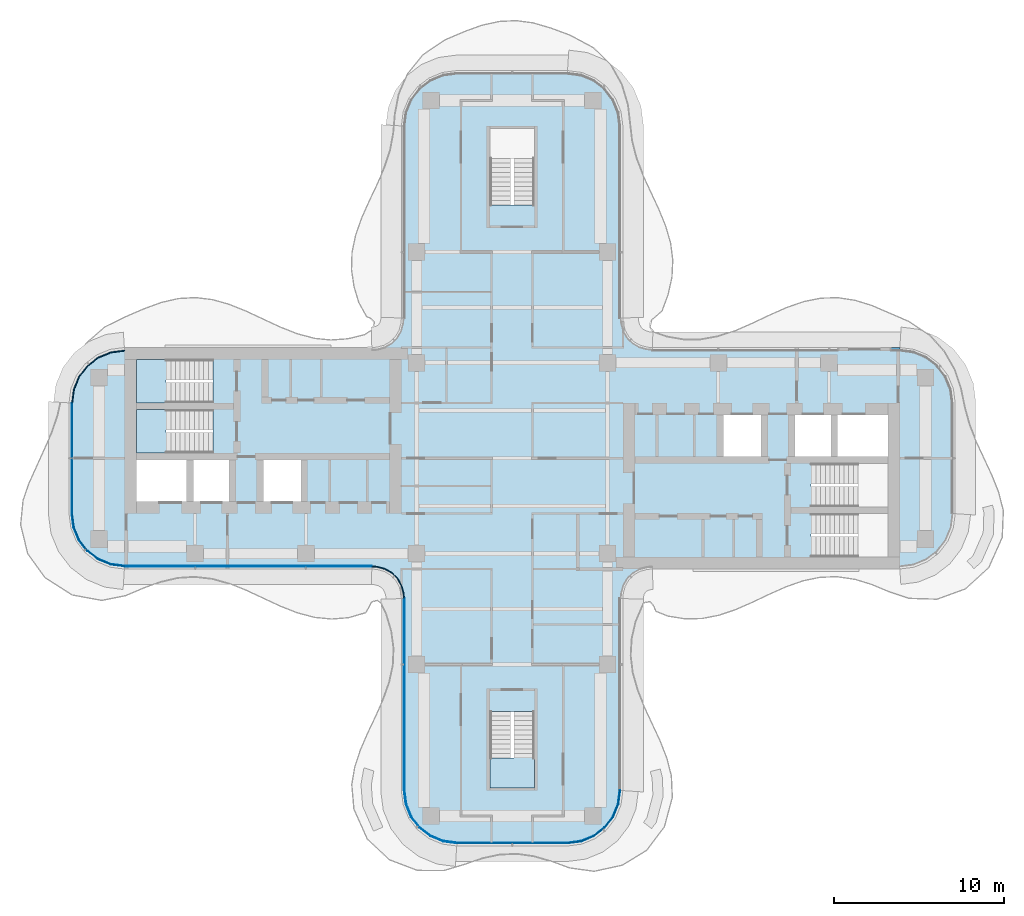
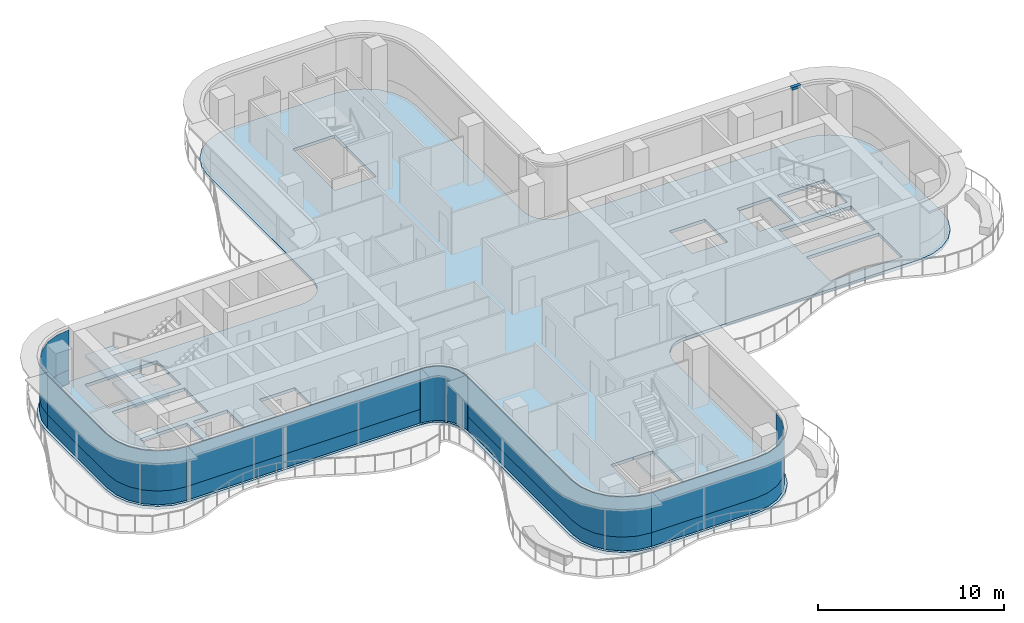
# One storey, part 8 of 17: 11 plates, 4 slabs, 1 member, 10 elements without a shape of their own.
"""IFC4 building model written with IfcOpenShell, lengths in metres."""

import ifcopenshell
import ifcopenshell.guid

model = None  # the IFC model being written
_history = None  # IfcOwnerHistory: only IFC2X3 demands one
_inside = {}  # id of a spatial element -> (the spatial element, [elements in it])
_under = {}  # id of a project, library or spatial element -> (it, [spatial elements below it])
_declared = {}  # id of a project -> (the project, [libraries it declares])
_typed = {}  # id of a type object -> (the type object, [elements of that type])
_made_of = {}  # id of a material, layer set ... -> (it, [elements and type objects made of it])


def new_model(schema):
    """Start an empty IFC model of exactly this schema.

    Asked for "IFC4X3", IfcOpenShell would pick the latest addendum, in which some entities
    have other attributes; the version numbers below select the first issue.
    IFC2X3 requires an IfcOwnerHistory on every rooted entity: one is made here for all.
    """
    global model, _history
    if schema == "IFC4X3":
        model = ifcopenshell.file(schema_version=(4, 3, 0, 0))
    else:
        model = ifcopenshell.file(schema=schema)
    _inside.clear()
    _under.clear()
    _declared.clear()
    _typed.clear()
    _made_of.clear()
    _history = None
    if model.schema == "IFC2X3":
        org = make("IfcOrganization", Name="unknown")
        user = make(
            "IfcPersonAndOrganization",
            ThePerson=make("IfcPerson", FamilyName="unknown"),
            TheOrganization=org,
        )
        app = make(
            "IfcApplication",
            ApplicationDeveloper=org,
            Version="unknown",
            ApplicationFullName="unknown",
            ApplicationIdentifier="unknown",
        )
        _history = make(
            "IfcOwnerHistory",
            OwningUser=user,
            OwningApplication=app,
            ChangeAction="ADDED",
            CreationDate=0,
        )
    return model


def make(cls, **values):
    """One entity of the class cls with the attributes given. An attribute that is None is left unset."""
    return model.create_entity(
        cls, **{name: value for name, value in values.items() if value is not None}
    )


def rooted(cls, **values):
    """An entity with a GlobalId (a new one), such as an element, a storey or a relation."""
    return make(cls, GlobalId=ifcopenshell.guid.new(), OwnerHistory=_history, **values)


def si_unit(unit_type, name, prefix=None):
    """IfcSIUnit, for example si_unit("LENGTHUNIT", "METRE", prefix="MILLI")."""
    return make("IfcSIUnit", UnitType=unit_type, Prefix=prefix, Name=name)


def assignment(units):
    """IfcUnitAssignment: the units of a project."""
    return None if units is None else make("IfcUnitAssignment", Units=units)


def point(xyz):
    """IfcCartesianPoint."""
    return None if xyz is None else make("IfcCartesianPoint", Coordinates=xyz)


def direction(xyz):
    """IfcDirection."""
    return None if xyz is None else make("IfcDirection", DirectionRatios=xyz)


def frame(location, z_axis=None, x_axis=None):
    """IfcAxis2Placement3D, a coordinate frame: its origin and axes. An axis left out is left unset."""
    return make(
        "IfcAxis2Placement3D",
        Location=point(location),
        Axis=direction(z_axis),
        RefDirection=direction(x_axis),
    )


def origin():
    """The frame at (0, 0, 0) with its axes left unset."""
    return frame((0.0, 0.0, 0.0))


def place(relative_to, where):
    """IfcLocalPlacement: puts the frame where relative to a parent placement (None: the world)."""
    return make(
        "IfcLocalPlacement", PlacementRelTo=relative_to, RelativePlacement=where
    )


def context(
    kind, dimensions, precision=None, world=None, true_north=None, identifier=None
):
    """IfcGeometricRepresentationContext, for example the 3D "Model" context."""
    return make(
        "IfcGeometricRepresentationContext",
        ContextIdentifier=identifier,
        ContextType=kind,
        CoordinateSpaceDimension=dimensions,
        Precision=precision,
        WorldCoordinateSystem=world,
        TrueNorth=true_north,
    )


def subcontext(parent, identifier, kind, view, scale=None):
    """IfcGeometricRepresentationSubContext, for example "Body" below "Model"."""
    return make(
        "IfcGeometricRepresentationSubContext",
        ContextIdentifier=identifier,
        ContextType=kind,
        ParentContext=parent,
        TargetScale=scale,
        TargetView=view,
    )


def project(units=None, contexts=None):
    """IfcProject with its units and contexts."""
    return rooted(
        "IfcProject",
        Name="project",
        RepresentationContexts=contexts,
        UnitsInContext=assignment(units),
    )


def spatial(cls, under=None, at=None, **own):
    """A site, building, storey or space (cls), placed at a placement, below another one or the project."""
    s = rooted(cls, ObjectPlacement=at, **own)
    if under is not None:
        _under.setdefault(under.id(), (under, []))[1].append(s)
    return s


def polyline(points):
    """IfcPolyline through the points."""
    return make("IfcPolyline", Points=[point(p) for p in points])


def outline(outer, holes=None, kind="AREA"):
    """IfcArbitraryClosedProfileDef: a profile drawn as a closed curve; with holes, ...WithVoids."""
    if holes is None:
        return make("IfcArbitraryClosedProfileDef", ProfileType=kind, OuterCurve=outer)
    return make(
        "IfcArbitraryProfileDefWithVoids",
        ProfileType=kind,
        OuterCurve=outer,
        InnerCurves=holes,
    )


def extrude(swept, where, along, depth):
    """IfcExtrudedAreaSolid: the profile swept, set in the frame where, extruded along a direction by depth."""
    return make(
        "IfcExtrudedAreaSolid",
        SweptArea=swept,
        Position=where,
        ExtrudedDirection=direction(along),
        Depth=depth,
    )


def shape(context_of_items, identifier, shape_type, items):
    """IfcShapeRepresentation: the items that make up one representation, for example the "Body"."""
    return make(
        "IfcShapeRepresentation",
        ContextOfItems=context_of_items,
        RepresentationIdentifier=identifier,
        RepresentationType=shape_type,
        Items=items,
    )


def source(mapping_origin, context_of_items, identifier, shape_type, items):
    """IfcRepresentationMap: a shape defined once, which mapped items show again and again."""
    return make(
        "IfcRepresentationMap",
        MappingOrigin=mapping_origin,
        MappedRepresentation=shape(context_of_items, identifier, shape_type, items),
    )


def transform(
    local_origin,
    x_axis=None,
    y_axis=None,
    z_axis=None,
    scale=None,
    scale2=None,
    scale3=None,
    uniform=True,
):
    """IfcCartesianTransformationOperator3D, or its non-uniform kind. x_axis, y_axis, z_axis: its Axis1, 2, 3."""
    if uniform:
        return make(
            "IfcCartesianTransformationOperator3D",
            Axis1=direction(x_axis),
            Axis2=direction(y_axis),
            LocalOrigin=point(local_origin),
            Scale=scale,
            Axis3=direction(z_axis),
        )
    return make(
        "IfcCartesianTransformationOperator3DnonUniform",
        Axis1=direction(x_axis),
        Axis2=direction(y_axis),
        LocalOrigin=point(local_origin),
        Scale=scale,
        Axis3=direction(z_axis),
        Scale2=scale2,
        Scale3=scale3,
    )


def mapped(mapping_source, mapping_target):
    """IfcMappedItem: shows the shape of a source again, moved by a transform."""
    return make(
        "IfcMappedItem", MappingSource=mapping_source, MappingTarget=mapping_target
    )


def material(Name=None, Category=None):
    """IfcMaterial."""
    return make("IfcMaterial", Name=Name, Category=Category)


def layer(
    of_material, thickness, ventilated=None, Name=None, Category=None, Priority=None
):
    """IfcMaterialLayer: one layer of a wall or slab, of a material (None: an air gap)."""
    return make(
        "IfcMaterialLayer",
        Material=of_material,
        LayerThickness=thickness,
        IsVentilated=ventilated,
        Name=Name,
        Category=Category,
        Priority=Priority,
    )


def layer_set(layers, Name=None):
    """IfcMaterialLayerSet."""
    return make("IfcMaterialLayerSet", MaterialLayers=layers, LayerSetName=Name)


def made_of(thing, what):
    """Note that an element or type object is made of a material, layer set ...; save() writes the relation."""
    if what is not None:
        _made_of.setdefault(what.id(), (what, []))[1].append(thing)
    return thing


def type_object(cls, material=None, **own):
    """A type object (cls), such as IfcWallType, which elements share."""
    return made_of(rooted(cls, **own), material)


def element(
    cls,
    number,
    at=None,
    inside=None,
    cuts=None,
    type_object=None,
    material=None,
    context=None,
    identifier="Body",
    shape_type=None,
    held_by="IfcProductDefinitionShape",
    body=None,
    shapes=None,
    **own,
):
    """One element of the class cls, such as IfcWall. Its Tag is "e" and its number.

    at: its placement. inside: the storey or other place that contains it. cuts: it is an
    opening in that element (IfcRelVoidsElement). A single representation is given by context,
    identifier, shape_type and body (its items); several are given by shapes. held_by: the class
    of the entity that holds the representations. save() writes the other relations.
    """
    e = rooted(cls, Tag="e%d" % number, ObjectPlacement=at, **own)
    if body is not None:
        shapes = [shape(context, identifier, shape_type, body)]
    if shapes is not None:
        e.Representation = make(held_by, Representations=shapes)
    if inside is not None:
        _inside.setdefault(inside.id(), (inside, []))[1].append(e)
    if cuts is not None:
        rooted(
            "IfcRelVoidsElement", RelatingBuildingElement=cuts, RelatedOpeningElement=e
        )
    if type_object is not None:
        _typed.setdefault(type_object.id(), (type_object, []))[1].append(e)
    return made_of(e, material)


def aggregate(whole, parts):
    """IfcRelAggregates: a whole, such as a stair, and the parts it consists of."""
    return rooted("IfcRelAggregates", RelatingObject=whole, RelatedObjects=parts)


def save(model, path):
    """Write the relations noted so far, then the file.

    IfcRelAggregates (storeys below a building ...), IfcRelContainedInSpatialStructure (elements
    in a storey), IfcRelDefinesByType, IfcRelAssociatesMaterial and IfcRelDeclares: one each for
    every whole, place, type object, material and project.
    """
    for whole, parts in _under.values():
        aggregate(whole, parts)
    for where, things in _inside.values():
        rooted(
            "IfcRelContainedInSpatialStructure",
            RelatedElements=things,
            RelatingStructure=where,
        )
    for kind, things in _typed.values():
        rooted("IfcRelDefinesByType", RelatedObjects=things, RelatingType=kind)
    for what, things in _made_of.values():
        rooted("IfcRelAssociatesMaterial", RelatedObjects=things, RelatingMaterial=what)
    for by, libraries in _declared.values():
        rooted("IfcRelDeclares", RelatingContext=by, RelatedDefinitions=libraries)
    model.write(path)


model = new_model("IFC4")

# Units and contexts
model_context = context("Model", 3, precision=1e-05, world=origin(), true_north=direction((0.0, 1.0)))
body_context = subcontext(model_context, "Body", "Model", "MODEL_VIEW")
ifc_project = project(units=[si_unit("LENGTHUNIT", "METRE"), si_unit("AREAUNIT", "SQUARE_METRE"), si_unit("VOLUMEUNIT", "CUBIC_METRE"), si_unit("PLANEANGLEUNIT", "RADIAN"), si_unit("MASSUNIT", "GRAM", prefix="KILO")], contexts=[model_context])

# Site, building, storey
site_placement = place(None, origin())
site = spatial("IfcSite", under=ifc_project, at=site_placement, CompositionType="ELEMENT")
building_placement = place(site_placement, origin())
building = spatial("IfcBuilding", under=site, at=building_placement, Name="Trellis Farm Tower", CompositionType="ELEMENT")
storey_placement = place(building_placement, frame((0.0, 0.0, 295.0)))
storey = spatial("IfcBuildingStorey", under=building, at=storey_placement, Name="L66", CompositionType="ELEMENT", Elevation=295.0)

# Curtain wall, member
ifc_material_1 = material(Name="Aluminium and glass curtain wall", Category="aluminium")
ifc_layer_1 = layer(ifc_material_1, 0.18994140625)
ifc_layer_set_1 = layer_set([ifc_layer_1], Name="RIBBON CURTAIN WALL CW1")
curtain_wall_type_1 = type_object("IfcCurtainWallType", Name="RIBBON CURTAIN WALL CW1", PredefinedType="NOTDEFINED", material=ifc_layer_set_1)
placement_1 = place(storey_placement, origin())
curtain_wall_1 = element("IfcCurtainWall", 1, at=placement_1, inside=storey, type_object=curtain_wall_type_1, Name="CW1 007", PredefinedType="NOTDEFINED")
ifc_material_2 = material(Name="Aluminium extrusion 6063-T6", Category="aluminium")
ifc_layer_2 = layer(ifc_material_2, 0.199951171875)
ifc_layer_set_2 = layer_set([ifc_layer_2], Name="Aluminium extrusion 6063-T6")
member_type = type_object("IfcMemberType", Name="CW1 TRANSOM 200x180", PredefinedType="USERDEFINED", material=ifc_layer_set_2)
member_placement = place(storey_placement, frame((0.0, 0.0, 3.52001953125)))
member = element("IfcMember", 2, at=member_placement, type_object=member_type, Name="TR1 007", ObjectType="TRANSOM", PredefinedType="USERDEFINED", context=body_context, shape_type="SweptSolid", body=[
    extrude(outline(polyline([(22.75, 6.5), (22.175048828125, 6.5), (22.175048828125, 6.300048828125), (22.73681640625, 6.300048828125), (22.75, 6.5)])), origin(), (0.0, 0.0, 1.0), 0.179931640625),
])
aggregate(curtain_wall_1, [member])

# Slab
ifc_material_3 = material(Name="Concrete C40/50", Category="concrete")
ifc_layer_3 = layer(ifc_material_3, 0.199951171875)
ifc_layer_set_3 = layer_set([ifc_layer_3], Name="Composite deck floor slab 200")
slab_type_1 = type_object("IfcSlabType", Name="Composite deck floor slab 200", PredefinedType="FLOOR", material=ifc_layer_set_3)
shared_shape_1 = source(origin(), body_context, "Body", "SweptSolid", [
    extrude(outline(polyline([(-23.59130859375, -6.389404296875), (-24.375, -6.064697265625), (-25.048095703125, -5.548095703125), (-25.564697265625, -4.875), (-25.889404296875, -4.09130859375), (-26.0, -3.25), (-26.0, 3.25), (-25.889404296875, 4.09130859375), (-25.564697265625, 4.875), (-25.048095703125, 5.548095703125), (-24.375, 6.064697265625), (-23.59130859375, 6.389404296875), (-22.75, 6.5), (-8.2314453125, 6.5), (-8.01953125, 6.513916015625), (-7.91552734375, 6.527587890625), (-7.508544921875, 6.63671875), (-7.144287109375, 6.846923828125), (-6.846923828125, 7.144287109375), (-6.63671875, 7.508544921875), (-6.527587890625, 7.91552734375), (-6.513916015625, 8.01953125), (-6.5, 8.2314453125), (-6.5, 19.5), (-6.389404296875, 20.34130859375), (-6.064697265625, 21.125), (-5.548095703125, 21.798095703125), (-4.875, 22.314697265625), (-4.09130859375, 22.639404296875), (-3.25, 22.75), (3.25, 22.75), (4.09130859375, 22.639404296875), (4.875, 22.314697265625), (5.548095703125, 21.798095703125), (6.064697265625, 21.125), (6.389404296875, 20.34130859375), (6.5, 19.5), (6.5, 8.2314453125), (6.513916015625, 8.01953125), (6.527587890625, 7.91552734375), (6.63671875, 7.508544921875), (6.846923828125, 7.144287109375), (7.144287109375, 6.846923828125), (7.508544921875, 6.63671875), (7.91552734375, 6.527587890625), (8.01953125, 6.513916015625), (8.2314453125, 6.5), (22.75, 6.5), (23.59130859375, 6.389404296875), (24.375, 6.064697265625), (25.048095703125, 5.548095703125), (25.564697265625, 4.875), (25.889404296875, 4.09130859375), (26.0, 3.25), (26.0, -3.25), (25.889404296875, -4.09130859375), (25.564697265625, -4.875), (25.048095703125, -5.548095703125), (24.375, -6.064697265625), (23.59130859375, -6.389404296875), (22.75, -6.5), (8.2314453125, -6.5), (8.01953125, -6.513916015625), (7.91552734375, -6.527587890625), (7.508544921875, -6.63671875), (7.144287109375, -6.846923828125), (6.846923828125, -7.144287109375), (6.63671875, -7.508544921875), (6.527587890625, -7.91552734375), (6.513916015625, -8.01953125), (6.5, -8.2314453125), (6.5, -19.5), (6.389404296875, -20.34130859375), (6.064697265625, -21.125), (5.548095703125, -21.798095703125), (4.875, -22.314697265625), (4.09130859375, -22.639404296875), (3.25, -22.75), (-3.25, -22.75), (-4.09130859375, -22.639404296875), (-4.875, -22.314697265625), (-5.548095703125, -21.798095703125), (-6.064697265625, -21.125), (-6.389404296875, -20.34130859375), (-6.5, -19.5), (-6.5, -8.2314453125), (-6.513916015625, -8.01953125), (-6.527587890625, -7.91552734375), (-6.63671875, -7.508544921875), (-6.846923828125, -7.144287109375), (-7.144287109375, -6.846923828125), (-7.508544921875, -6.63671875), (-7.91552734375, -6.527587890625), (-8.01953125, -6.513916015625), (-8.2314453125, -6.5), (-22.75, -6.5), (-23.59130859375, -6.389404296875)]), holes=[polyline([(-22.050048828125, -2.550048828125), (-19.10009765625, -2.550048828125), (-19.10009765625, -0.10009765625), (-22.050048828125, -0.10009765625), (-22.050048828125, -2.550048828125)]), polyline([(-18.699951171875, -0.10009765625), (-18.699951171875, -2.550048828125), (-16.60009765625, -2.550048828125), (-16.60009765625, -0.10009765625), (-18.699951171875, -0.10009765625)]), polyline([(-14.60009765625, -0.10009765625), (-14.60009765625, -2.550048828125), (-12.39990234375, -2.550048828125), (-12.39990234375, -0.10009765625), (-14.60009765625, -0.10009765625)]), polyline([(-17.56201171875, 2.85009765625), (-22.050048828125, 2.85009765625), (-22.050048828125, 0.300048828125), (-17.56005859375, 0.300048828125), (-17.56005859375, 1.5), (-17.550048828125, 1.5), (-17.550048828125, 1.64990234375), (-17.56201171875, 1.64990234375), (-17.56201171875, 2.85009765625)]), polyline([(-17.56201171875, 4.60009765625), (-17.56201171875, 5.800048828125), (-22.050048828125, 5.800048828125), (-22.050048828125, 3.25), (-17.56005859375, 3.25), (-17.56005859375, 4.449951171875), (-17.550048828125, 4.449951171875), (-17.550048828125, 4.60009765625), (-17.56201171875, 4.60009765625)]), polyline([(0.10009765625, 14.862060546875), (1.300048828125, 14.862060546875), (1.300048828125, 19.35009765625), (-1.300048828125, 19.35009765625), (-1.300048828125, 14.860107421875), (-0.10009765625, 14.860107421875), (-0.10009765625, 14.85009765625), (0.10009765625, 14.85009765625), (0.10009765625, 14.862060546875)]), polyline([(-1.300048828125, -14.862060546875), (-1.300048828125, -19.35009765625), (1.300048828125, -19.35009765625), (1.300048828125, -14.860107421875), (0.10009765625, -14.860107421875), (0.10009765625, -14.85009765625), (-0.10009765625, -14.85009765625), (-0.10009765625, -14.862060546875), (-1.300048828125, -14.862060546875)]), polyline([(17.56201171875, -4.60009765625), (17.56201171875, -5.800048828125), (22.050048828125, -5.800048828125), (22.050048828125, -3.25), (17.56005859375, -3.25), (17.56005859375, -4.449951171875), (17.550048828125, -4.449951171875), (17.550048828125, -4.60009765625), (17.56201171875, -4.60009765625)]), polyline([(17.56201171875, -1.64990234375), (17.56201171875, -2.85009765625), (22.050048828125, -2.85009765625), (22.050048828125, -0.300048828125), (17.56005859375, -0.300048828125), (17.56005859375, -1.5), (17.550048828125, -1.5), (17.550048828125, -1.64990234375), (17.56201171875, -1.64990234375)]), polyline([(14.60009765625, 2.550048828125), (12.39990234375, 2.550048828125), (12.39990234375, 0.10009765625), (14.60009765625, 0.10009765625), (14.60009765625, 2.550048828125)]), polyline([(18.699951171875, 0.10009765625), (18.699951171875, 2.550048828125), (16.60009765625, 2.550048828125), (16.60009765625, 0.10009765625), (18.699951171875, 0.10009765625)]), polyline([(22.050048828125, 0.10009765625), (22.050048828125, 2.550048828125), (19.10009765625, 2.550048828125), (19.10009765625, 0.10009765625), (22.050048828125, 0.10009765625)])]), origin(), (0.0, 0.0, 1.0), 0.199951171875),
])
slab_1_placement = place(storey_placement, frame((0.0, 0.0, -0.199951171875)))
element("IfcSlab", 3, at=slab_1_placement, inside=storey, type_object=slab_type_1, Name="Floor slab", PredefinedType="FLOOR", context=body_context, shape_type="MappedRepresentation", body=[
    mapped(shared_shape_1, transform((0.0, 0.0, 0.0))),
])

# Stair, slab
ifc_material_4 = material(Name="Concrete C50/60", Category="concrete")
stair_type = type_object("IfcStairType", Name="CORE EXIT STAIR 22 RISERS 177 MM", PredefinedType="HALF_TURN_STAIR", material=ifc_material_4)
stair_1 = element("IfcStair", 4, at=placement_1, inside=storey, type_object=stair_type, Name="Exit stair S", PredefinedType="HALF_TURN_STAIR")
ifc_layer_4 = layer(ifc_material_4, 0.18994140625)
ifc_layer_set_4 = layer_set([ifc_layer_4], Name="CORE STAIR LANDING 190 CONCRETE C50/60")
slab_type_2 = type_object("IfcSlabType", Name="CORE STAIR LANDING 190 CONCRETE C50/60", PredefinedType="LANDING", material=ifc_layer_set_4)
shared_shape_2 = source(origin(), body_context, "Body", "SweptSolid", [
    extrude(outline(polyline([(1.300048828125, -19.35009765625), (-1.300048828125, -19.35009765625), (-1.300048828125, -17.60009765625), (-1.300048828125, -17.590087890625), (-0.10009765625, -17.590087890625), (-0.10009765625, -17.60009765625), (0.10009765625, -17.60009765625), (0.10009765625, -17.27197265625), (1.300048828125, -17.27197265625), (1.300048828125, -17.60009765625), (1.300048828125, -19.35009765625)])), origin(), (0.0, 0.0, 1.0), 0.18994140625),
])
placement_2 = place(storey_placement, frame((0.0, 0.0, 1.760009765625)))
slab_2 = element("IfcSlab", 5, at=placement_2, type_object=slab_type_2, Name="STS landing 1", PredefinedType="LANDING", context=body_context, shape_type="MappedRepresentation", body=[
    mapped(shared_shape_2, transform((0.0, 0.0, 0.0))),
])
aggregate(stair_1, [slab_2])

stair_2 = element("IfcStair", 6, at=placement_1, inside=storey, type_object=stair_type, Name="Exit stair W1", PredefinedType="HALF_TURN_STAIR")
shared_shape_3 = source(origin(), body_context, "Body", "SweptSolid", [
    extrude(outline(polyline([(-19.971923828125, 4.449951171875), (-19.971923828125, 3.25), (-20.300048828125, 3.25), (-22.050048828125, 3.25), (-22.050048828125, 5.800048828125), (-20.300048828125, 5.800048828125), (-20.2900390625, 5.800048828125), (-20.2900390625, 4.60009765625), (-20.300048828125, 4.60009765625), (-20.300048828125, 4.449951171875), (-19.971923828125, 4.449951171875)])), origin(), (0.0, 0.0, 1.0), 0.18994140625),
])
slab_3 = element("IfcSlab", 7, at=placement_2, type_object=slab_type_2, Name="STW1 landing 1", PredefinedType="LANDING", context=body_context, shape_type="MappedRepresentation", body=[
    mapped(shared_shape_3, transform((0.0, 0.0, 0.0))),
])
aggregate(stair_2, [slab_3])

stair_3 = element("IfcStair", 8, at=placement_1, inside=storey, type_object=stair_type, Name="Exit stair W2", PredefinedType="HALF_TURN_STAIR")
shared_shape_4 = source(origin(), body_context, "Body", "SweptSolid", [
    extrude(outline(polyline([(-19.971923828125, 1.5), (-19.971923828125, 0.300048828125), (-20.300048828125, 0.300048828125), (-22.050048828125, 0.300048828125), (-22.050048828125, 2.85009765625), (-20.300048828125, 2.85009765625), (-20.2900390625, 2.85009765625), (-20.2900390625, 1.64990234375), (-20.300048828125, 1.64990234375), (-20.300048828125, 1.5), (-19.971923828125, 1.5)])), origin(), (0.0, 0.0, 1.0), 0.18994140625),
])
slab_4 = element("IfcSlab", 9, at=placement_2, type_object=slab_type_2, Name="STW2 landing 1", PredefinedType="LANDING", context=body_context, shape_type="MappedRepresentation", body=[
    mapped(shared_shape_4, transform((0.0, 0.0, 0.0))),
])
aggregate(stair_3, [slab_4])

# Curtain wall, plate
ifc_layer_5 = layer(ifc_material_1, 0.166015625)
ifc_layer_set_5 = layer_set([ifc_layer_5], Name="WINTER GARDEN CURTAIN WALL CW3")
curtain_wall_type_2 = type_object("IfcCurtainWallType", Name="WINTER GARDEN CURTAIN WALL CW3", PredefinedType="NOTDEFINED", material=ifc_layer_set_5)
curtain_wall_2 = element("IfcCurtainWall", 10, at=placement_1, inside=storey, type_object=curtain_wall_type_2, Name="CW3 001", PredefinedType="NOTDEFINED")
ifc_material_5 = material(Name="Clear insulated glass", Category="glass")
ifc_layer_6 = layer(ifc_material_5, 0.0458984375)
ifc_layer_set_6 = layer_set([ifc_layer_6], Name="CW3 GLASS PANEL 46")
plate_type_1 = type_object("IfcPlateType", Name="CW3 GLASS PANEL 46", PredefinedType="CURTAIN_PANEL", material=ifc_layer_set_6)
shared_shape_5 = source(origin(), body_context, "Body", "SweptSolid", [
    extrude(outline(polyline([(-8.2275390625, -6.3798828125), (-8.0078125, -6.394287109375), (-7.89208984375, -6.40966796875), (-7.462158203125, -6.52490234375), (-7.070556640625, -6.7509765625), (-6.7509765625, -7.070556640625), (-6.52490234375, -7.462158203125), (-6.40966796875, -7.89208984375), (-6.394287109375, -8.0078125), (-6.3798828125, -8.2275390625), (-6.333984375, -8.22607421875), (-6.3486328125, -8.003173828125), (-6.364501953125, -7.883056640625), (-6.48193359375, -7.4443359375), (-6.714111328125, -7.04248046875), (-7.04248046875, -6.714111328125), (-7.4443359375, -6.48193359375), (-7.883056640625, -6.364501953125), (-8.003173828125, -6.3486328125), (-8.22607421875, -6.333984375), (-8.2275390625, -6.3798828125)])), origin(), (0.0, 0.0, 1.0), 3.550048828125),
])
plate_1 = element("IfcPlate", 11, at=placement_1, type_object=plate_type_1, Name="PL3 001", PredefinedType="CURTAIN_PANEL", context=body_context, shape_type="MappedRepresentation", body=[
    mapped(shared_shape_5, transform((0.0, 0.0, 0.0))),
])
aggregate(curtain_wall_2, [plate_1])

# Curtain wall, plates
curtain_wall_3 = element("IfcCurtainWall", 12, at=placement_1, inside=storey, type_object=curtain_wall_type_1, Name="CW1 002", PredefinedType="NOTDEFINED")
ifc_layer_7 = layer(ifc_material_5, 0.0400390625)
ifc_layer_set_7 = layer_set([ifc_layer_7], Name="CW1 GLASS PANEL 40")
plate_type_2 = type_object("IfcPlateType", Name="CW1 GLASS PANEL 40", PredefinedType="CURTAIN_PANEL", material=ifc_layer_set_7)
shared_shape_6 = source(origin(), body_context, "Body", "SweptSolid", [
    extrude(outline(polyline([(-6.35009765625, -8.2265625), (-6.35009765625, -19.490234375), (-6.2431640625, -20.302001953125), (-5.93359375, -21.04931640625), (-5.441162109375, -21.691162109375), (-4.79931640625, -22.18359375), (-4.052001953125, -22.4931640625), (-3.240234375, -22.60009765625), (-3.237548828125, -22.56005859375), (-4.04150390625, -22.4541015625), (-4.779296875, -22.148681640625), (-5.41259765625, -21.66259765625), (-5.898681640625, -21.029296875), (-6.2041015625, -20.29150390625), (-6.31005859375, -19.487548828125), (-6.31005859375, -8.22509765625), (-6.35009765625, -8.2265625)])), origin(), (0.0, 0.0, 1.0), 2.6201171875),
])
placement_3 = place(storey_placement, frame((0.0, 0.0, 0.89990234375)))
plate_2 = element("IfcPlate", 13, at=placement_3, type_object=plate_type_2, Name="PL1 002", PredefinedType="CURTAIN_PANEL", context=body_context, shape_type="MappedRepresentation", body=[
    mapped(shared_shape_6, transform((0.0, 0.0, 0.0))),
])
ifc_material_6 = material(Name="Sandstone faced insulated panel", Category="masonry")
ifc_layer_8 = layer(ifc_material_6, 0.050048828125)
ifc_layer_set_8 = layer_set([ifc_layer_8], Name="CW1 STONE SPANDREL PANEL 50")
plate_type_3 = type_object("IfcPlateType", Name="CW1 STONE SPANDREL PANEL 50", PredefinedType="CURTAIN_PANEL", material=ifc_layer_set_8)
shared_shape_7 = source(origin(), body_context, "Body", "SweptSolid", [
    extrude(outline(polyline([(-6.35009765625, -8.2265625), (-6.35009765625, -19.490234375), (-6.2431640625, -20.302001953125), (-5.93359375, -21.04931640625), (-5.441162109375, -21.691162109375), (-4.79931640625, -22.18359375), (-4.052001953125, -22.4931640625), (-3.240234375, -22.60009765625), (-3.23681640625, -22.550048828125), (-4.0390625, -22.4443359375), (-4.774169921875, -22.139892578125), (-5.405517578125, -21.655517578125), (-5.889892578125, -21.024169921875), (-6.1943359375, -20.2890625), (-6.300048828125, -19.48681640625), (-6.300048828125, -8.224853515625), (-6.35009765625, -8.2265625)])), origin(), (0.0, 0.0, 1.0), 0.89990234375),
])
plate_3 = element("IfcPlate", 14, at=placement_1, type_object=plate_type_3, Name="PS1 002", PredefinedType="CURTAIN_PANEL", context=body_context, shape_type="MappedRepresentation", body=[
    mapped(shared_shape_7, transform((0.0, 0.0, 0.0))),
])
aggregate(curtain_wall_3, [plate_2, plate_3])

curtain_wall_4 = element("IfcCurtainWall", 15, at=placement_1, inside=storey, type_object=curtain_wall_type_1, Name="CW1 003", PredefinedType="NOTDEFINED")
shared_shape_8 = source(origin(), body_context, "Body", "SweptSolid", [
    extrude(outline(polyline([(-3.240234375, -22.60009765625), (3.240234375, -22.60009765625), (4.052001953125, -22.4931640625), (4.79931640625, -22.18359375), (5.441162109375, -21.691162109375), (5.93359375, -21.04931640625), (6.2431640625, -20.302001953125), (6.35009765625, -19.490234375), (6.31005859375, -19.487548828125), (6.2041015625, -20.29150390625), (5.898681640625, -21.029296875), (5.41259765625, -21.66259765625), (4.779296875, -22.148681640625), (4.04150390625, -22.4541015625), (3.237548828125, -22.56005859375), (-3.237548828125, -22.56005859375), (-3.240234375, -22.60009765625)])), origin(), (0.0, 0.0, 1.0), 2.6201171875),
])
plate_4 = element("IfcPlate", 16, at=placement_3, type_object=plate_type_2, Name="PL1 003", PredefinedType="CURTAIN_PANEL", context=body_context, shape_type="MappedRepresentation", body=[
    mapped(shared_shape_8, transform((0.0, 0.0, 0.0))),
])
shared_shape_9 = source(origin(), body_context, "Body", "SweptSolid", [
    extrude(outline(polyline([(-3.240234375, -22.60009765625), (3.240234375, -22.60009765625), (4.052001953125, -22.4931640625), (4.79931640625, -22.18359375), (5.441162109375, -21.691162109375), (5.93359375, -21.04931640625), (6.2431640625, -20.302001953125), (6.35009765625, -19.490234375), (6.300048828125, -19.48681640625), (6.1943359375, -20.2890625), (5.889892578125, -21.024169921875), (5.405517578125, -21.655517578125), (4.774169921875, -22.139892578125), (4.0390625, -22.4443359375), (3.23681640625, -22.550048828125), (-3.23681640625, -22.550048828125), (-3.240234375, -22.60009765625)])), origin(), (0.0, 0.0, 1.0), 0.89990234375),
])
plate_5 = element("IfcPlate", 17, at=placement_1, type_object=plate_type_3, Name="PS1 003", PredefinedType="CURTAIN_PANEL", context=body_context, shape_type="MappedRepresentation", body=[
    mapped(shared_shape_9, transform((0.0, 0.0, 0.0))),
])
aggregate(curtain_wall_4, [plate_4, plate_5])

curtain_wall_5 = element("IfcCurtainWall", 18, at=placement_1, inside=storey, type_object=curtain_wall_type_1, Name="CW1 001", PredefinedType="NOTDEFINED")
shared_shape_10 = source(origin(), body_context, "Body", "SweptSolid", [
    extrude(outline(polyline([(-22.740234375, -6.35009765625), (-8.2265625, -6.35009765625), (-8.22509765625, -6.31005859375), (-22.737548828125, -6.31005859375), (-22.740234375, -6.35009765625)])), origin(), (0.0, 0.0, 1.0), 2.6201171875),
])
plate_6 = element("IfcPlate", 19, at=placement_3, type_object=plate_type_2, Name="PL1 001", PredefinedType="CURTAIN_PANEL", context=body_context, shape_type="MappedRepresentation", body=[
    mapped(shared_shape_10, transform((0.0, 0.0, 0.0))),
])
shared_shape_11 = source(origin(), body_context, "Body", "SweptSolid", [
    extrude(outline(polyline([(-22.740234375, -6.35009765625), (-8.2265625, -6.35009765625), (-8.224853515625, -6.300048828125), (-22.73681640625, -6.300048828125), (-22.740234375, -6.35009765625)])), origin(), (0.0, 0.0, 1.0), 0.89990234375),
])
plate_7 = element("IfcPlate", 20, at=placement_1, type_object=plate_type_3, Name="PS1 001", PredefinedType="CURTAIN_PANEL", context=body_context, shape_type="MappedRepresentation", body=[
    mapped(shared_shape_11, transform((0.0, 0.0, 0.0))),
])
aggregate(curtain_wall_5, [plate_6, plate_7])

curtain_wall_6 = element("IfcCurtainWall", 21, at=placement_1, inside=storey, type_object=curtain_wall_type_1, Name="CW1 012", PredefinedType="NOTDEFINED")
shared_shape_12 = source(origin(), body_context, "Body", "SweptSolid", [
    extrude(outline(polyline([(-22.740234375, 6.35009765625), (-23.552001953125, 6.2431640625), (-24.29931640625, 5.93359375), (-24.941162109375, 5.441162109375), (-25.43359375, 4.79931640625), (-25.7431640625, 4.052001953125), (-25.85009765625, 3.240234375), (-25.81005859375, 3.237548828125), (-25.7041015625, 4.04150390625), (-25.398681640625, 4.779296875), (-24.91259765625, 5.41259765625), (-24.279296875, 5.898681640625), (-23.54150390625, 6.2041015625), (-22.737548828125, 6.31005859375), (-22.740234375, 6.35009765625)])), origin(), (0.0, 0.0, 1.0), 2.6201171875),
])
plate_8 = element("IfcPlate", 22, at=placement_3, type_object=plate_type_2, Name="PL1 012", PredefinedType="CURTAIN_PANEL", context=body_context, shape_type="MappedRepresentation", body=[
    mapped(shared_shape_12, transform((0.0, 0.0, 0.0))),
])
shared_shape_13 = source(origin(), body_context, "Body", "SweptSolid", [
    extrude(outline(polyline([(-22.740234375, 6.35009765625), (-23.552001953125, 6.2431640625), (-24.29931640625, 5.93359375), (-24.941162109375, 5.441162109375), (-25.43359375, 4.79931640625), (-25.7431640625, 4.052001953125), (-25.85009765625, 3.240234375), (-25.800048828125, 3.23681640625), (-25.6943359375, 4.0390625), (-25.389892578125, 4.774169921875), (-24.905517578125, 5.405517578125), (-24.274169921875, 5.889892578125), (-23.5390625, 6.1943359375), (-22.73681640625, 6.300048828125), (-22.740234375, 6.35009765625)])), origin(), (0.0, 0.0, 1.0), 0.89990234375),
])
plate_9 = element("IfcPlate", 23, at=placement_1, type_object=plate_type_3, Name="PS1 012", PredefinedType="CURTAIN_PANEL", context=body_context, shape_type="MappedRepresentation", body=[
    mapped(shared_shape_13, transform((0.0, 0.0, 0.0))),
])
aggregate(curtain_wall_6, [plate_8, plate_9])

curtain_wall_7 = element("IfcCurtainWall", 24, at=placement_1, inside=storey, type_object=curtain_wall_type_1, Name="CW1 013", PredefinedType="NOTDEFINED")
shared_shape_14 = source(origin(), body_context, "Body", "SweptSolid", [
    extrude(outline(polyline([(-25.85009765625, 3.240234375), (-25.85009765625, -3.240234375), (-25.7431640625, -4.052001953125), (-25.43359375, -4.79931640625), (-24.941162109375, -5.441162109375), (-24.29931640625, -5.93359375), (-23.552001953125, -6.2431640625), (-22.740234375, -6.35009765625), (-22.737548828125, -6.31005859375), (-23.54150390625, -6.2041015625), (-24.279296875, -5.898681640625), (-24.91259765625, -5.41259765625), (-25.398681640625, -4.779296875), (-25.7041015625, -4.04150390625), (-25.81005859375, -3.237548828125), (-25.81005859375, 3.237548828125), (-25.85009765625, 3.240234375)])), origin(), (0.0, 0.0, 1.0), 2.6201171875),
])
plate_10 = element("IfcPlate", 25, at=placement_3, type_object=plate_type_2, Name="PL1 013", PredefinedType="CURTAIN_PANEL", context=body_context, shape_type="MappedRepresentation", body=[
    mapped(shared_shape_14, transform((0.0, 0.0, 0.0))),
])
shared_shape_15 = source(origin(), body_context, "Body", "SweptSolid", [
    extrude(outline(polyline([(-25.85009765625, 3.240234375), (-25.85009765625, -3.240234375), (-25.7431640625, -4.052001953125), (-25.43359375, -4.79931640625), (-24.941162109375, -5.441162109375), (-24.29931640625, -5.93359375), (-23.552001953125, -6.2431640625), (-22.740234375, -6.35009765625), (-22.73681640625, -6.300048828125), (-23.5390625, -6.1943359375), (-24.274169921875, -5.889892578125), (-24.905517578125, -5.405517578125), (-25.389892578125, -4.774169921875), (-25.6943359375, -4.0390625), (-25.800048828125, -3.23681640625), (-25.800048828125, 3.23681640625), (-25.85009765625, 3.240234375)])), origin(), (0.0, 0.0, 1.0), 0.89990234375),
])
plate_11 = element("IfcPlate", 26, at=placement_1, type_object=plate_type_3, Name="PS1 013", PredefinedType="CURTAIN_PANEL", context=body_context, shape_type="MappedRepresentation", body=[
    mapped(shared_shape_15, transform((0.0, 0.0, 0.0))),
])
aggregate(curtain_wall_7, [plate_10, plate_11])

save(model, "model.ifc")
